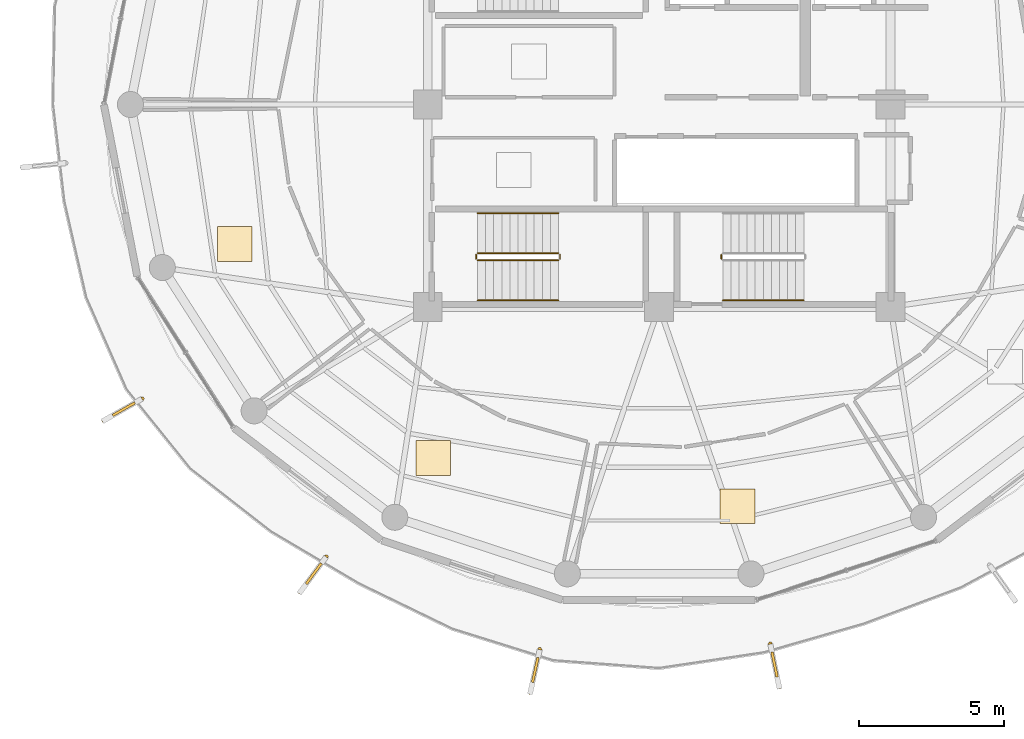
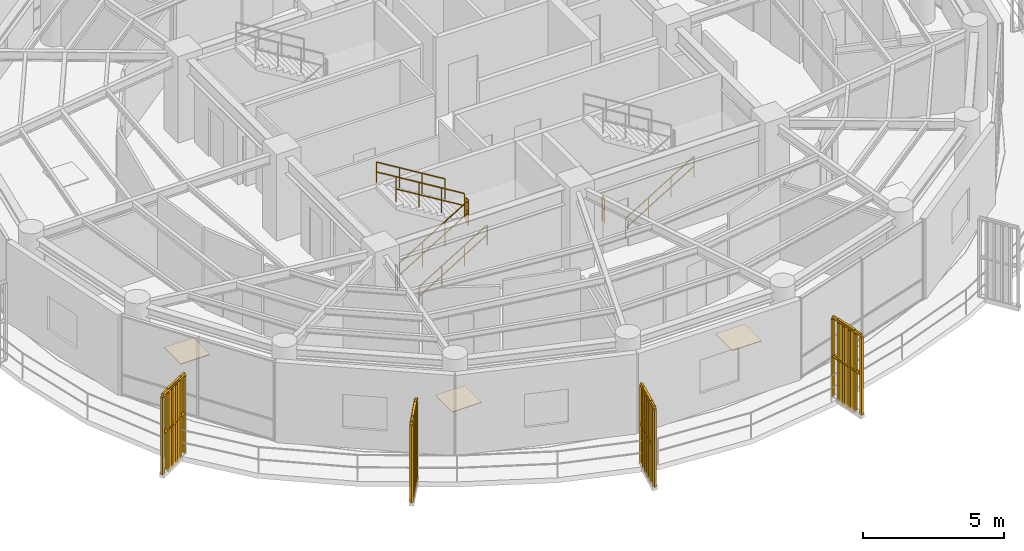
# One storey, part 19 of 22: 12 railings, 4 shading devices, 3 coverings.
"""IFC4 building model written with IfcOpenShell, lengths in metres."""

from ifc_helpers import new_model, si_unit, direction, frame, origin, origin_2d, place, context, subcontext, project, spatial, polyline, rectangle, outline, extrude, source, transform, mapped, material, layer, layer_set, type_object, element, save


model = new_model("IFC4")

# Units and contexts
model_context = context("Model", 3, precision=1e-05, world=origin(), true_north=direction((0.0, 1.0)))
body_context = subcontext(model_context, "Body", "Model", "MODEL_VIEW")
ifc_project = project(units=[si_unit("LENGTHUNIT", "METRE"), si_unit("AREAUNIT", "SQUARE_METRE"), si_unit("VOLUMEUNIT", "CUBIC_METRE"), si_unit("PLANEANGLEUNIT", "RADIAN"), si_unit("MASSUNIT", "GRAM", prefix="KILO")], contexts=[model_context])

# Site, building, storey
site_placement = place(None, origin())
site = spatial("IfcSite", under=ifc_project, at=site_placement, CompositionType="ELEMENT")
building_placement = place(site_placement, origin())
building = spatial("IfcBuilding", under=site, at=building_placement, Name="Kelanora Arch Commons", CompositionType="ELEMENT")
storey_placement = place(building_placement, frame((0.0, 0.0, 259.949951171875)))
storey = spatial("IfcBuildingStorey", under=building, at=storey_placement, Name="L66", CompositionType="ELEMENT", Elevation=259.949951171875)

# Railings
ifc_material_1 = material(Name="Anodised bronze vertical shading fin rib assembly")
railing_type_1 = type_object("IfcRailingType", Name="RAIL-FIN-BRZ", PredefinedType="BALUSTRADE", material=ifc_material_1)
railing_1_placement = place(storey_placement, frame((56.118896484375, 47.82421875, -0.02001953125)))
element("IfcRailing", 1, at=railing_1_placement, inside=storey, type_object=railing_type_1, Name="Sweeping Bronze Vertical Fin Blade L66-10", PredefinedType="BALUSTRADE", context=body_context, shape_type="SweptSolid", body=[
    extrude(outline(polyline([(0.06982421875, 0.0), (0.034912109375, 0.060546875), (-0.034912109375, 0.060546875), (-0.06982421875, 0.0), (-0.034912109375, -0.060546875), (0.034912109375, -0.060546875), (0.06982421875, 0.0)])), frame((0.0, 0.0, 3.419921875), z_axis=(-0.869172176973, -0.494509582087, 0.0), x_axis=(0.494509582087, -0.869172176973, 0.0)), (0.0, 0.0, 1.0), 1.517578125),
    extrude(outline(polyline([(0.06982421875, 0.0), (0.034912109375, 0.060546875), (-0.034912109375, 0.060546875), (-0.06982421875, 0.0), (-0.034912109375, -0.060546875), (0.034912109375, -0.060546875), (0.06982421875, 0.0)])), frame((0.0, 0.0, 1.7451171875), z_axis=(-0.869172176973, -0.494509582087, 0.0), x_axis=(0.494509582087, -0.869172176973, 0.0)), (0.0, 0.0, 1.0), 1.517578125),
    extrude(outline(polyline([(0.080078125, 0.0), (0.0400390625, 0.0693359375), (-0.0400390625, 0.0693359375), (-0.080078125, 0.0), (-0.0400390625, -0.0693359375), (0.0400390625, -0.0693359375), (0.080078125, 0.0)])), origin(), (0.0, 0.0, 1.0), 3.35009765625),
    extrude(outline(polyline([(0.080078125, 0.0), (0.0400390625, 0.0693359375), (-0.0400390625, 0.0693359375), (-0.080078125, 0.0), (-0.0400390625, -0.0693359375), (0.0400390625, -0.0693359375), (0.080078125, 0.0)])), frame((-0.263916015625, -0.150146484375, 0.0)), (0.0, 0.0, 1.0), 3.35009765625),
    extrude(outline(polyline([(0.080078125, 0.0), (0.0400390625, 0.0693359375), (-0.0400390625, 0.0693359375), (-0.080078125, 0.0), (-0.0400390625, -0.0693359375), (0.0400390625, -0.0693359375), (0.080078125, 0.0)])), frame((-0.527587890625, -0.30029296875, 0.0)), (0.0, 0.0, 1.0), 3.35009765625),
    extrude(outline(polyline([(0.080078125, 0.0), (0.0400390625, 0.0693359375), (-0.0400390625, 0.0693359375), (-0.080078125, 0.0), (-0.0400390625, -0.0693359375), (0.0400390625, -0.0693359375), (0.080078125, 0.0)])), frame((-0.79150390625, -0.4501953125, 0.0)), (0.0, 0.0, 1.0), 3.35009765625),
    extrude(outline(polyline([(0.080078125, 0.0), (0.0400390625, 0.0693359375), (-0.0400390625, 0.0693359375), (-0.080078125, 0.0), (-0.0400390625, -0.0693359375), (0.0400390625, -0.0693359375), (0.080078125, 0.0)])), frame((-1.05517578125, -0.600341796875, 0.0)), (0.0, 0.0, 1.0), 3.35009765625),
    extrude(outline(polyline([(0.080078125, 0.0), (0.0400390625, 0.0693359375), (-0.0400390625, 0.0693359375), (-0.080078125, 0.0), (-0.0400390625, -0.0693359375), (0.0400390625, -0.0693359375), (0.080078125, 0.0)])), frame((-1.319091796875, -0.75048828125, 0.0)), (0.0, 0.0, 1.0), 3.35009765625),
])
railing_2_placement = place(storey_placement, frame((62.486083984375, 42.3583984375, -0.02001953125)))
element("IfcRailing", 2, at=railing_2_placement, inside=storey, type_object=railing_type_1, Name="Sweeping Bronze Vertical Fin Blade L66-11", PredefinedType="BALUSTRADE", context=body_context, shape_type="SweptSolid", body=[
    extrude(outline(polyline([(0.06982421875, 0.0), (0.034912109375, 0.060546875), (-0.034912109375, 0.060546875), (-0.06982421875, 0.0), (-0.034912109375, -0.060546875), (0.034912109375, -0.060546875), (0.06982421875, 0.0)])), frame((0.0, 0.0, 3.419921875), z_axis=(-0.592820326684, -0.805334750442, 0.0), x_axis=(0.805334750442, -0.592820326684, 0.0)), (0.0, 0.0, 1.0), 1.517578125),
    extrude(outline(polyline([(0.06982421875, 0.0), (0.034912109375, 0.060546875), (-0.034912109375, 0.060546875), (-0.06982421875, 0.0), (-0.034912109375, -0.060546875), (0.034912109375, -0.060546875), (0.06982421875, 0.0)])), frame((0.0, 0.0, 1.7451171875), z_axis=(-0.592820326684, -0.805334750442, 0.0), x_axis=(0.805334750442, -0.592820326684, 0.0)), (0.0, 0.0, 1.0), 1.517578125),
    extrude(outline(polyline([(0.080078125, 0.0), (0.0400390625, 0.0693359375), (-0.0400390625, 0.0693359375), (-0.080078125, 0.0), (-0.0400390625, -0.0693359375), (0.0400390625, -0.0693359375), (0.080078125, 0.0)])), origin(), (0.0, 0.0, 1.0), 3.35009765625),
    extrude(outline(polyline([(0.080078125, 0.0), (0.0400390625, 0.0693359375), (-0.0400390625, 0.0693359375), (-0.080078125, 0.0), (-0.0400390625, -0.0693359375), (0.0400390625, -0.0693359375), (0.080078125, 0.0)])), frame((-0.179931640625, -0.244384765625, 0.0)), (0.0, 0.0, 1.0), 3.35009765625),
    extrude(outline(polyline([(0.080078125, 0.0), (0.0400390625, 0.0693359375), (-0.0400390625, 0.0693359375), (-0.080078125, 0.0), (-0.0400390625, -0.0693359375), (0.0400390625, -0.0693359375), (0.080078125, 0.0)])), frame((-0.35986328125, -0.48876953125, 0.0)), (0.0, 0.0, 1.0), 3.35009765625),
    extrude(outline(polyline([(0.080078125, 0.0), (0.0400390625, 0.0693359375), (-0.0400390625, 0.0693359375), (-0.080078125, 0.0), (-0.0400390625, -0.0693359375), (0.0400390625, -0.0693359375), (0.080078125, 0.0)])), frame((-0.539794921875, -0.7333984375, 0.0)), (0.0, 0.0, 1.0), 3.35009765625),
    extrude(outline(polyline([(0.080078125, 0.0), (0.0400390625, 0.0693359375), (-0.0400390625, 0.0693359375), (-0.080078125, 0.0), (-0.0400390625, -0.0693359375), (0.0400390625, -0.0693359375), (0.080078125, 0.0)])), frame((-0.7197265625, -0.977783203125, 0.0)), (0.0, 0.0, 1.0), 3.35009765625),
    extrude(outline(polyline([(0.080078125, 0.0), (0.0400390625, 0.0693359375), (-0.0400390625, 0.0693359375), (-0.080078125, 0.0), (-0.0400390625, -0.0693359375), (0.0400390625, -0.0693359375), (0.080078125, 0.0)])), frame((-0.899658203125, -1.22216796875, 0.0)), (0.0, 0.0, 1.0), 3.35009765625),
])
railing_3_placement = place(storey_placement, frame((69.87060546875, 39.151123046875, -0.02001953125)))
element("IfcRailing", 3, at=railing_3_placement, inside=storey, type_object=railing_type_1, Name="Sweeping Bronze Vertical Fin Blade L66-12", PredefinedType="BALUSTRADE", context=body_context, shape_type="SweptSolid", body=[
    extrude(outline(polyline([(0.06982421875, 0.0), (0.034912109375, 0.060546875), (-0.034912109375, 0.060546875), (-0.06982421875, 0.0), (-0.034912109375, -0.060546875), (0.034912109375, -0.060546875), (0.06982421875, 0.0)])), frame((0.0, 0.0, 3.419921875), z_axis=(-0.213999177707, -0.976833840497, 0.0), x_axis=(0.976833840497, -0.213999177707, 0.0)), (0.0, 0.0, 1.0), 1.517333984375),
    extrude(outline(polyline([(0.06982421875, 0.0), (0.034912109375, 0.060546875), (-0.034912109375, 0.060546875), (-0.06982421875, 0.0), (-0.034912109375, -0.060546875), (0.034912109375, -0.060546875), (0.06982421875, 0.0)])), frame((0.0, 0.0, 1.7451171875), z_axis=(-0.213999177707, -0.976833840497, 0.0), x_axis=(0.976833840497, -0.213999177707, 0.0)), (0.0, 0.0, 1.0), 1.517333984375),
    extrude(outline(polyline([(0.080078125, 0.0), (0.0400390625, 0.0693359375), (-0.0400390625, 0.0693359375), (-0.080078125, 0.0), (-0.0400390625, -0.0693359375), (0.0400390625, -0.0693359375), (0.080078125, 0.0)])), origin(), (0.0, 0.0, 1.0), 3.35009765625),
    extrude(outline(polyline([(0.080078125, 0.0), (0.0400390625, 0.0693359375), (-0.0400390625, 0.0693359375), (-0.080078125, 0.0), (-0.0400390625, -0.0693359375), (0.0400390625, -0.0693359375), (0.080078125, 0.0)])), frame((-0.06494140625, -0.29638671875, 0.0)), (0.0, 0.0, 1.0), 3.35009765625),
    extrude(outline(polyline([(0.080078125, 0.0), (0.0400390625, 0.0693359375), (-0.0400390625, 0.0693359375), (-0.080078125, 0.0), (-0.0400390625, -0.0693359375), (0.0400390625, -0.0693359375), (0.080078125, 0.0)])), frame((-0.1298828125, -0.5927734375, 0.0)), (0.0, 0.0, 1.0), 3.35009765625),
    extrude(outline(polyline([(0.080078125, 0.0), (0.0400390625, 0.0693359375), (-0.0400390625, 0.0693359375), (-0.080078125, 0.0), (-0.0400390625, -0.0693359375), (0.0400390625, -0.0693359375), (0.080078125, 0.0)])), frame((-0.19482421875, -0.889404296875, 0.0)), (0.0, 0.0, 1.0), 3.35009765625),
    extrude(outline(polyline([(0.080078125, 0.0), (0.0400390625, 0.0693359375), (-0.0400390625, 0.0693359375), (-0.080078125, 0.0), (-0.0400390625, -0.0693359375), (0.0400390625, -0.0693359375), (0.080078125, 0.0)])), frame((-0.259765625, -1.185791015625, 0.0)), (0.0, 0.0, 1.0), 3.35009765625),
    extrude(outline(polyline([(0.080078125, 0.0), (0.0400390625, 0.0693359375), (-0.0400390625, 0.0693359375), (-0.080078125, 0.0), (-0.0400390625, -0.0693359375), (0.0400390625, -0.0693359375), (0.080078125, 0.0)])), frame((-0.32470703125, -1.482177734375, 0.0)), (0.0, 0.0, 1.0), 3.35009765625),
])
railing_4_placement = place(storey_placement, frame((77.84423828125, 39.343017578125, -0.02001953125)))
element("IfcRailing", 4, at=railing_4_placement, inside=storey, type_object=railing_type_1, Name="Sweeping Bronze Vertical Fin Blade L66-13", PredefinedType="BALUSTRADE", context=body_context, shape_type="SweptSolid", body=[
    extrude(outline(polyline([(0.06982421875, 0.0), (0.034912109375, 0.060546875), (-0.034912109375, 0.060546875), (-0.06982421875, 0.0), (-0.034912109375, -0.060546875), (0.034912109375, -0.060546875), (0.06982421875, 0.0)])), frame((0.0, 0.0, 3.419921875), z_axis=(0.20189803167, -0.979406547256, 0.0), x_axis=(0.979406547256, 0.20189803167, 0.0)), (0.0, 0.0, 1.0), 1.517578125),
    extrude(outline(polyline([(0.06982421875, 0.0), (0.034912109375, 0.060546875), (-0.034912109375, 0.060546875), (-0.06982421875, 0.0), (-0.034912109375, -0.060546875), (0.034912109375, -0.060546875), (0.06982421875, 0.0)])), frame((0.0, 0.0, 1.7451171875), z_axis=(0.20189803167, -0.979406547256, 0.0), x_axis=(0.979406547256, 0.20189803167, 0.0)), (0.0, 0.0, 1.0), 1.517578125),
    extrude(outline(polyline([(0.080078125, 0.0), (0.0400390625, 0.0693359375), (-0.0400390625, 0.0693359375), (-0.080078125, 0.0), (-0.0400390625, -0.0693359375), (0.0400390625, -0.0693359375), (0.080078125, 0.0)])), origin(), (0.0, 0.0, 1.0), 3.35009765625),
    extrude(outline(polyline([(0.080078125, 0.0), (0.0400390625, 0.0693359375), (-0.0400390625, 0.0693359375), (-0.080078125, 0.0), (-0.0400390625, -0.0693359375), (0.0400390625, -0.0693359375), (0.080078125, 0.0)])), frame((0.061279296875, -0.29736328125, 0.0)), (0.0, 0.0, 1.0), 3.35009765625),
    extrude(outline(polyline([(0.080078125, 0.0), (0.0400390625, 0.0693359375), (-0.0400390625, 0.0693359375), (-0.080078125, 0.0), (-0.0400390625, -0.0693359375), (0.0400390625, -0.0693359375), (0.080078125, 0.0)])), frame((0.12255859375, -0.594482421875, 0.0)), (0.0, 0.0, 1.0), 3.35009765625),
    extrude(outline(polyline([(0.080078125, 0.0), (0.0400390625, 0.0693359375), (-0.0400390625, 0.0693359375), (-0.080078125, 0.0), (-0.0400390625, -0.0693359375), (0.0400390625, -0.0693359375), (0.080078125, 0.0)])), frame((0.183837890625, -0.891845703125, 0.0)), (0.0, 0.0, 1.0), 3.35009765625),
    extrude(outline(polyline([(0.080078125, 0.0), (0.0400390625, 0.0693359375), (-0.0400390625, 0.0693359375), (-0.080078125, 0.0), (-0.0400390625, -0.0693359375), (0.0400390625, -0.0693359375), (0.080078125, 0.0)])), frame((0.2451171875, -1.18896484375, 0.0)), (0.0, 0.0, 1.0), 3.35009765625),
    extrude(outline(polyline([(0.080078125, 0.0), (0.0400390625, 0.0693359375), (-0.0400390625, 0.0693359375), (-0.080078125, 0.0), (-0.0400390625, -0.0693359375), (0.0400390625, -0.0693359375), (0.080078125, 0.0)])), frame((0.306396484375, -1.486328125, 0.0)), (0.0, 0.0, 1.0), 3.35009765625),
])
ifc_material_2 = material(Name="Painted steel stair well guard", Category="steel")
railing_type_2 = type_object("IfcRailingType", Name="RAIL-STAIR-GRD", PredefinedType="GUARDRAIL", material=ifc_material_2)
railing_5_placement = place(storey_placement, frame((76.14990234375, 52.659912109375, 0.0)))
element("IfcRailing", 5, at=railing_5_placement, inside=storey, type_object=railing_type_2, Name="L66 ST-T2 stair guard 4", PredefinedType="GUARDRAIL", context=body_context, shape_type="SweptSolid", body=[
    extrude(outline(polyline([(0.02392578125, 0.0), (0.011962890625, 0.020751953125), (-0.011962890625, 0.020751953125), (-0.02392578125, 0.0), (-0.011962890625, -0.020751953125), (0.011962890625, -0.020751953125), (0.02392578125, 0.0)])), frame((0.0, 0.0, 1.076171875), z_axis=(0.0, 1.0, 0.0), x_axis=(-1.0, 0.0, 0.0)), (0.0, 0.0, 1.0), 0.150146484375),
    extrude(outline(polyline([(0.02392578125, 0.0), (0.011962890625, 0.020751953125), (-0.011962890625, 0.020751953125), (-0.02392578125, 0.0), (-0.011962890625, -0.020751953125), (0.011962890625, -0.020751953125), (0.02392578125, 0.0)])), frame((0.0, 0.0, 0.550048828125), z_axis=(0.0, 1.0, 0.0), x_axis=(-1.0, 0.0, 0.0)), (0.0, 0.0, 1.0), 0.150146484375),
    extrude(outline(polyline([(0.02099609375, 0.0), (0.010498046875, 0.01806640625), (-0.010498046875, 0.01806640625), (-0.02099609375, 0.0), (-0.010498046875, -0.01806640625), (0.010498046875, -0.01806640625), (0.02099609375, 0.0)])), origin(), (0.0, 0.0, 1.0), 1.052001953125),
    extrude(outline(polyline([(0.02099609375, 0.0), (0.010498046875, 0.01806640625), (-0.010498046875, 0.01806640625), (-0.02099609375, 0.0), (-0.010498046875, -0.01806640625), (0.010498046875, -0.01806640625), (0.02099609375, 0.0)])), frame((0.0, 0.150146484375, 0.0)), (0.0, 0.0, 1.0), 1.052001953125),
])
railing_6_placement = place(storey_placement, frame((67.719970703125, 52.610107421875, 0.17041015625)))
element("IfcRailing", 6, at=railing_6_placement, inside=storey, type_object=railing_type_2, Name="L66 ST-T3 stair guard 1", PredefinedType="GUARDRAIL", context=body_context, shape_type="SweptSolid", body=[
    extrude(outline(polyline([(0.02392578125, 0.0), (0.011962890625, 0.020751953125), (-0.011962890625, 0.020751953125), (-0.02392578125, 0.0), (-0.011962890625, -0.020751953125), (0.011962890625, -0.020751953125), (0.02392578125, 0.0)])), frame((0.0, 0.0, 1.076171875), z_axis=(0.854169791009, 0.0, 0.51999420009), x_axis=(0.0, 1.0, 0.0)), (0.0, 0.0, 1.0), 3.278076171875),
    extrude(outline(polyline([(0.02392578125, 0.0), (0.011962890625, 0.020751953125), (-0.011962890625, 0.020751953125), (-0.02392578125, 0.0), (-0.011962890625, -0.020751953125), (0.011962890625, -0.020751953125), (0.02392578125, 0.0)])), frame((0.0, 0.0, 0.550048828125), z_axis=(0.854169791009, 0.0, 0.51999420009), x_axis=(0.0, 1.0, 0.0)), (0.0, 0.0, 1.0), 3.278076171875),
    extrude(outline(polyline([(0.02099609375, 0.0), (0.010498046875, 0.01806640625), (-0.010498046875, 0.01806640625), (-0.02099609375, 0.0), (-0.010498046875, -0.01806640625), (0.010498046875, -0.01806640625), (0.02099609375, 0.0)])), origin(), (0.0, 0.0, 1.0), 1.052001953125),
    extrude(outline(polyline([(0.02099609375, 0.0), (0.010498046875, 0.01806640625), (-0.010498046875, 0.01806640625), (-0.02099609375, 0.0), (-0.010498046875, -0.01806640625), (0.010498046875, -0.01806640625), (0.02099609375, 0.0)])), frame((0.933349609375, 0.0, 0.568115234375)), (0.0, 0.0, 1.0), 1.052001953125),
    extrude(outline(polyline([(0.02099609375, 0.0), (0.010498046875, 0.01806640625), (-0.010498046875, 0.01806640625), (-0.02099609375, 0.0), (-0.010498046875, -0.01806640625), (0.010498046875, -0.01806640625), (0.02099609375, 0.0)])), frame((1.86669921875, 0.0, 1.136474609375)), (0.0, 0.0, 1.0), 1.052001953125),
    extrude(outline(polyline([(0.02099609375, 0.0), (0.010498046875, 0.01806640625), (-0.010498046875, 0.01806640625), (-0.02099609375, 0.0), (-0.010498046875, -0.01806640625), (0.010498046875, -0.01806640625), (0.02099609375, 0.0)])), frame((2.800048828125, 0.0, 1.70458984375)), (0.0, 0.0, 1.0), 1.052001953125),
])
railing_7_placement = place(storey_placement, frame((70.570068359375, 52.659912109375, 1.875)))
element("IfcRailing", 7, at=railing_7_placement, inside=storey, type_object=railing_type_2, Name="L66 ST-T3 stair guard 2", PredefinedType="GUARDRAIL", context=body_context, shape_type="SweptSolid", body=[
    extrude(outline(polyline([(0.02392578125, 0.0), (0.011962890625, 0.020751953125), (-0.011962890625, 0.020751953125), (-0.02392578125, 0.0), (-0.011962890625, -0.020751953125), (0.011962890625, -0.020751953125), (0.02392578125, 0.0)])), frame((0.0, 0.0, 1.076171875), z_axis=(0.0, 1.0, 0.0), x_axis=(-1.0, 0.0, 0.0)), (0.0, 0.0, 1.0), 0.150146484375),
    extrude(outline(polyline([(0.02392578125, 0.0), (0.011962890625, 0.020751953125), (-0.011962890625, 0.020751953125), (-0.02392578125, 0.0), (-0.011962890625, -0.020751953125), (0.011962890625, -0.020751953125), (0.02392578125, 0.0)])), frame((0.0, 0.0, 0.550048828125), z_axis=(0.0, 1.0, 0.0), x_axis=(-1.0, 0.0, 0.0)), (0.0, 0.0, 1.0), 0.150146484375),
    extrude(outline(polyline([(0.02099609375, 0.0), (0.010498046875, 0.01806640625), (-0.010498046875, 0.01806640625), (-0.02099609375, 0.0), (-0.010498046875, -0.01806640625), (0.010498046875, -0.01806640625), (0.02099609375, 0.0)])), origin(), (0.0, 0.0, 1.0), 1.052001953125),
    extrude(outline(polyline([(0.02099609375, 0.0), (0.010498046875, 0.01806640625), (-0.010498046875, 0.01806640625), (-0.02099609375, 0.0), (-0.010498046875, -0.01806640625), (0.010498046875, -0.01806640625), (0.02099609375, 0.0)])), frame((0.0, 0.150146484375, 0.0)), (0.0, 0.0, 1.0), 1.052001953125),
])
railing_8_placement = place(storey_placement, frame((70.52001953125, 52.860107421875, 2.04541015625)))
element("IfcRailing", 8, at=railing_8_placement, inside=storey, type_object=railing_type_2, Name="L66 ST-T3 stair guard 3", PredefinedType="GUARDRAIL", context=body_context, shape_type="SweptSolid", body=[
    extrude(outline(polyline([(0.02392578125, 0.0), (0.011962890625, 0.020751953125), (-0.011962890625, 0.020751953125), (-0.02392578125, 0.0), (-0.011962890625, -0.020751953125), (0.011962890625, -0.020751953125), (0.02392578125, 0.0)])), frame((0.0, 0.0, 1.076171875), z_axis=(-0.854169791009, 0.0, 0.51999420009), x_axis=(0.0, -1.0, 0.0)), (0.0, 0.0, 1.0), 3.278076171875),
    extrude(outline(polyline([(0.02392578125, 0.0), (0.011962890625, 0.020751953125), (-0.011962890625, 0.020751953125), (-0.02392578125, 0.0), (-0.011962890625, -0.020751953125), (0.011962890625, -0.020751953125), (0.02392578125, 0.0)])), frame((0.0, 0.0, 0.550048828125), z_axis=(-0.854169791009, 0.0, 0.51999420009), x_axis=(0.0, -1.0, 0.0)), (0.0, 0.0, 1.0), 3.278076171875),
    extrude(outline(polyline([(0.02099609375, 0.0), (0.010498046875, 0.01806640625), (-0.010498046875, 0.01806640625), (-0.02099609375, 0.0), (-0.010498046875, -0.01806640625), (0.010498046875, -0.01806640625), (0.02099609375, 0.0)])), origin(), (0.0, 0.0, 1.0), 1.052001953125),
    extrude(outline(polyline([(0.02099609375, 0.0), (0.010498046875, 0.01806640625), (-0.010498046875, 0.01806640625), (-0.02099609375, 0.0), (-0.010498046875, -0.01806640625), (0.010498046875, -0.01806640625), (0.02099609375, 0.0)])), frame((-0.933349609375, 0.0, 0.568115234375)), (0.0, 0.0, 1.0), 1.052001953125),
    extrude(outline(polyline([(0.02099609375, 0.0), (0.010498046875, 0.01806640625), (-0.010498046875, 0.01806640625), (-0.02099609375, 0.0), (-0.010498046875, -0.01806640625), (0.010498046875, -0.01806640625), (0.02099609375, 0.0)])), frame((-1.86669921875, 0.0, 1.136474609375)), (0.0, 0.0, 1.0), 1.052001953125),
    extrude(outline(polyline([(0.02099609375, 0.0), (0.010498046875, 0.01806640625), (-0.010498046875, 0.01806640625), (-0.02099609375, 0.0), (-0.010498046875, -0.01806640625), (0.010498046875, -0.01806640625), (0.02099609375, 0.0)])), frame((-2.800048828125, 0.0, 1.70458984375)), (0.0, 0.0, 1.0), 1.052001953125),
])
railing_9_placement = place(storey_placement, frame((67.669921875, 52.659912109375, 0.0)))
element("IfcRailing", 9, at=railing_9_placement, inside=storey, type_object=railing_type_2, Name="L66 ST-T3 stair guard 4", PredefinedType="GUARDRAIL", context=body_context, shape_type="SweptSolid", body=[
    extrude(outline(polyline([(0.02392578125, 0.0), (0.011962890625, 0.020751953125), (-0.011962890625, 0.020751953125), (-0.02392578125, 0.0), (-0.011962890625, -0.020751953125), (0.011962890625, -0.020751953125), (0.02392578125, 0.0)])), frame((0.0, 0.0, 1.076171875), z_axis=(0.0, 1.0, 0.0), x_axis=(-1.0, 0.0, 0.0)), (0.0, 0.0, 1.0), 0.150146484375),
    extrude(outline(polyline([(0.02392578125, 0.0), (0.011962890625, 0.020751953125), (-0.011962890625, 0.020751953125), (-0.02392578125, 0.0), (-0.011962890625, -0.020751953125), (0.011962890625, -0.020751953125), (0.02392578125, 0.0)])), frame((0.0, 0.0, 0.550048828125), z_axis=(0.0, 1.0, 0.0), x_axis=(-1.0, 0.0, 0.0)), (0.0, 0.0, 1.0), 0.150146484375),
    extrude(outline(polyline([(0.02099609375, 0.0), (0.010498046875, 0.01806640625), (-0.010498046875, 0.01806640625), (-0.02099609375, 0.0), (-0.010498046875, -0.01806640625), (0.010498046875, -0.01806640625), (0.02099609375, 0.0)])), origin(), (0.0, 0.0, 1.0), 1.052001953125),
    extrude(outline(polyline([(0.02099609375, 0.0), (0.010498046875, 0.01806640625), (-0.010498046875, 0.01806640625), (-0.02099609375, 0.0), (-0.010498046875, -0.01806640625), (0.010498046875, -0.01806640625), (0.02099609375, 0.0)])), frame((0.0, 0.150146484375, 0.0)), (0.0, 0.0, 1.0), 1.052001953125),
])
ifc_material_3 = material(Name="Brushed stainless steel stair handrail", Category="steel")
railing_type_3 = type_object("IfcRailingType", Name="RAIL-STAIR-HND", PredefinedType="HANDRAIL", material=ifc_material_3)
railing_10_placement = place(storey_placement, frame((76.199951171875, 51.22998046875, 0.17041015625)))
element("IfcRailing", 10, at=railing_10_placement, inside=storey, type_object=railing_type_3, Name="L66 ST-T2 stair handrail 1", PredefinedType="HANDRAIL", context=body_context, shape_type="SweptSolid", body=[
    extrude(outline(polyline([(0.02392578125, 0.0), (0.011962890625, 0.020751953125), (-0.011962890625, 0.020751953125), (-0.02392578125, 0.0), (-0.011962890625, -0.020751953125), (0.011962890625, -0.020751953125), (0.02392578125, 0.0)])), frame((0.0, 0.0, 0.8759765625), z_axis=(0.854169791009, 0.0, 0.51999420009), x_axis=(0.0, 1.0, 0.0)), (0.0, 0.0, 1.0), 3.278076171875),
    extrude(outline(polyline([(0.02392578125, 0.0), (0.011962890625, 0.020751953125), (-0.011962890625, 0.020751953125), (-0.02392578125, 0.0), (-0.011962890625, -0.020751953125), (0.011962890625, -0.020751953125), (0.02392578125, 0.0)])), frame((0.0, 0.0, 0.449951171875), z_axis=(0.854169791009, 0.0, 0.51999420009), x_axis=(0.0, 1.0, 0.0)), (0.0, 0.0, 1.0), 3.278076171875),
    extrude(outline(polyline([(0.02099609375, 0.0), (0.010498046875, 0.01806640625), (-0.010498046875, 0.01806640625), (-0.02099609375, 0.0), (-0.010498046875, -0.01806640625), (0.010498046875, -0.01806640625), (0.02099609375, 0.0)])), origin(), (0.0, 0.0, 1.0), 0.851806640625),
    extrude(outline(polyline([(0.02099609375, 0.0), (0.010498046875, 0.01806640625), (-0.010498046875, 0.01806640625), (-0.02099609375, 0.0), (-0.010498046875, -0.01806640625), (0.010498046875, -0.01806640625), (0.02099609375, 0.0)])), frame((0.933349609375, 0.0, 0.568115234375)), (0.0, 0.0, 1.0), 0.851806640625),
    extrude(outline(polyline([(0.02099609375, 0.0), (0.010498046875, 0.01806640625), (-0.010498046875, 0.01806640625), (-0.02099609375, 0.0), (-0.010498046875, -0.01806640625), (0.010498046875, -0.01806640625), (0.02099609375, 0.0)])), frame((1.86669921875, 0.0, 1.136474609375)), (0.0, 0.0, 1.0), 0.851806640625),
    extrude(outline(polyline([(0.02099609375, 0.0), (0.010498046875, 0.01806640625), (-0.010498046875, 0.01806640625), (-0.02099609375, 0.0), (-0.010498046875, -0.01806640625), (0.010498046875, -0.01806640625), (0.02099609375, 0.0)])), frame((2.800048828125, 0.0, 1.70458984375)), (0.0, 0.0, 1.0), 0.851806640625),
])
railing_11_placement = place(storey_placement, frame((67.719970703125, 51.22998046875, 0.17041015625)))
element("IfcRailing", 11, at=railing_11_placement, inside=storey, type_object=railing_type_3, Name="L66 ST-T3 stair handrail 1", PredefinedType="HANDRAIL", context=body_context, shape_type="SweptSolid", body=[
    extrude(outline(polyline([(0.02392578125, 0.0), (0.011962890625, 0.020751953125), (-0.011962890625, 0.020751953125), (-0.02392578125, 0.0), (-0.011962890625, -0.020751953125), (0.011962890625, -0.020751953125), (0.02392578125, 0.0)])), frame((0.0, 0.0, 0.8759765625), z_axis=(0.854169791009, 0.0, 0.51999420009), x_axis=(0.0, 1.0, 0.0)), (0.0, 0.0, 1.0), 3.278076171875),
    extrude(outline(polyline([(0.02392578125, 0.0), (0.011962890625, 0.020751953125), (-0.011962890625, 0.020751953125), (-0.02392578125, 0.0), (-0.011962890625, -0.020751953125), (0.011962890625, -0.020751953125), (0.02392578125, 0.0)])), frame((0.0, 0.0, 0.449951171875), z_axis=(0.854169791009, 0.0, 0.51999420009), x_axis=(0.0, 1.0, 0.0)), (0.0, 0.0, 1.0), 3.278076171875),
    extrude(outline(polyline([(0.02099609375, 0.0), (0.010498046875, 0.01806640625), (-0.010498046875, 0.01806640625), (-0.02099609375, 0.0), (-0.010498046875, -0.01806640625), (0.010498046875, -0.01806640625), (0.02099609375, 0.0)])), origin(), (0.0, 0.0, 1.0), 0.851806640625),
    extrude(outline(polyline([(0.02099609375, 0.0), (0.010498046875, 0.01806640625), (-0.010498046875, 0.01806640625), (-0.02099609375, 0.0), (-0.010498046875, -0.01806640625), (0.010498046875, -0.01806640625), (0.02099609375, 0.0)])), frame((0.933349609375, 0.0, 0.568115234375)), (0.0, 0.0, 1.0), 0.851806640625),
    extrude(outline(polyline([(0.02099609375, 0.0), (0.010498046875, 0.01806640625), (-0.010498046875, 0.01806640625), (-0.02099609375, 0.0), (-0.010498046875, -0.01806640625), (0.010498046875, -0.01806640625), (0.02099609375, 0.0)])), frame((1.86669921875, 0.0, 1.136474609375)), (0.0, 0.0, 1.0), 0.851806640625),
    extrude(outline(polyline([(0.02099609375, 0.0), (0.010498046875, 0.01806640625), (-0.010498046875, 0.01806640625), (-0.02099609375, 0.0), (-0.010498046875, -0.01806640625), (0.010498046875, -0.01806640625), (0.02099609375, 0.0)])), frame((2.800048828125, 0.0, 1.70458984375)), (0.0, 0.0, 1.0), 0.851806640625),
])
railing_12_placement = place(storey_placement, frame((70.52001953125, 54.239990234375, 2.04541015625)))
element("IfcRailing", 12, at=railing_12_placement, inside=storey, type_object=railing_type_3, Name="L66 ST-T3 stair handrail 2", PredefinedType="HANDRAIL", context=body_context, shape_type="SweptSolid", body=[
    extrude(outline(polyline([(0.02392578125, 0.0), (0.011962890625, 0.020751953125), (-0.011962890625, 0.020751953125), (-0.02392578125, 0.0), (-0.011962890625, -0.020751953125), (0.011962890625, -0.020751953125), (0.02392578125, 0.0)])), frame((0.0, 0.0, 0.8759765625), z_axis=(-0.854169791009, 0.0, 0.51999420009), x_axis=(0.0, -1.0, 0.0)), (0.0, 0.0, 1.0), 3.278076171875),
    extrude(outline(polyline([(0.02392578125, 0.0), (0.011962890625, 0.020751953125), (-0.011962890625, 0.020751953125), (-0.02392578125, 0.0), (-0.011962890625, -0.020751953125), (0.011962890625, -0.020751953125), (0.02392578125, 0.0)])), frame((0.0, 0.0, 0.449951171875), z_axis=(-0.854169791009, 0.0, 0.51999420009), x_axis=(0.0, -1.0, 0.0)), (0.0, 0.0, 1.0), 3.278076171875),
    extrude(outline(polyline([(0.02099609375, 0.0), (0.010498046875, 0.01806640625), (-0.010498046875, 0.01806640625), (-0.02099609375, 0.0), (-0.010498046875, -0.01806640625), (0.010498046875, -0.01806640625), (0.02099609375, 0.0)])), origin(), (0.0, 0.0, 1.0), 0.851806640625),
    extrude(outline(polyline([(0.02099609375, 0.0), (0.010498046875, 0.01806640625), (-0.010498046875, 0.01806640625), (-0.02099609375, 0.0), (-0.010498046875, -0.01806640625), (0.010498046875, -0.01806640625), (0.02099609375, 0.0)])), frame((-0.933349609375, 0.0, 0.568115234375)), (0.0, 0.0, 1.0), 0.851806640625),
    extrude(outline(polyline([(0.02099609375, 0.0), (0.010498046875, 0.01806640625), (-0.010498046875, 0.01806640625), (-0.02099609375, 0.0), (-0.010498046875, -0.01806640625), (0.010498046875, -0.01806640625), (0.02099609375, 0.0)])), frame((-1.86669921875, 0.0, 1.136474609375)), (0.0, 0.0, 1.0), 0.851806640625),
    extrude(outline(polyline([(0.02099609375, 0.0), (0.010498046875, 0.01806640625), (-0.010498046875, 0.01806640625), (-0.02099609375, 0.0), (-0.010498046875, -0.01806640625), (0.010498046875, -0.01806640625), (0.02099609375, 0.0)])), frame((-2.800048828125, 0.0, 1.70458984375)), (0.0, 0.0, 1.0), 0.851806640625),
])

# Shading devices
ifc_material_4 = material(Name="Terracotta ceramic-clad extruded aluminium fin", Category="masonry")
shading_device_type = type_object("IfcShadingDeviceType", Name="SHD-FIN-FLARE", PredefinedType="USERDEFINED", material=ifc_material_4)
shared_shape_1 = source(origin(), body_context, "Body", "SweptSolid", [
    extrude(rectangle(XDim=0.8798828125, YDim=0.090087890625, at=origin_2d()), origin(), (0.0, 0.0, 1.0), 3.610107421875),
])
for number, where, z_axis, x_axis, name in (
    (13, (55.492919921875, 47.46826171875, -0.14013671875), (0.0, 0.0, 1.0), (-0.869149881167, -0.494548768138, 0.0), "Sweeping Terracotta Fin L66-10"),
    (14, (62.05908203125, 41.778564453125, -0.14013671875), (0.0, 0.0, 1.0), (-0.592856820161, -0.805307885711, 0.0), "Sweeping Terracotta Fin L66-11"),
    (15, (69.716552734375, 38.447998046875, -0.14013671875), (0.0, 0.0, 1.0), (-0.214053429014, -0.976821953852, 0.0), "Sweeping Terracotta Fin L66-12"),
    (16, (77.989501953125, 38.6376953125, -0.14013671875), (0.0, 0.0, 1.0), (0.201761744624, -0.979434632023, 0.0), "Sweeping Terracotta Fin L66-13"),
):
    element("IfcShadingDevice", number, at=place(storey_placement, frame(where, z_axis=z_axis, x_axis=x_axis)), inside=storey, type_object=shading_device_type, Name=name, ObjectType="FIN", PredefinedType="USERDEFINED", context=body_context, shape_type="MappedRepresentation", body=[
        mapped(shared_shape_1, transform((0.0, 0.0, 0.0), scale=1.0)),
    ])

# Coverings
ifc_material_5 = material(Name="Polished local granite terrazzo flooring", Category="masonry")
ifc_layer = layer(ifc_material_5, 0.030029296875)
ifc_layer_set = layer_set([ifc_layer], Name="Polished local granite terrazzo flooring")
covering_type = type_object("IfcCoveringType", Name="COV-FLR-TER", PredefinedType="FLOORING", material=ifc_layer_set)
shared_shape_2 = source(origin(), body_context, "Body", "SweptSolid", [
    extrude(rectangle(XDim=1.199951171875, YDim=1.199951171875, at=origin_2d()), origin(), (0.0, 0.0, 1.0), 0.030029296875),
])
for number, where, z_axis, x_axis, name in (
    (17, (59.330078125, 53.17431640625, 0.0), (0.0, 0.0, 1.0), (1.0, 0.0, 0.0), "Social Sky Lounge L66-04 Terrazzo Finish"),
    (18, (66.1943359375, 45.780517578125, 0.0), (0.0, 0.0, 1.0), (1.0, 0.0, 0.0), "Social Sky Lounge L66-05 Terrazzo Finish"),
    (19, (76.7109375, 44.1044921875, 0.0), (0.0, 0.0, 1.0), (1.0, 0.0, 0.0), "Quiet Seminar Study Room L66-06 Terrazzo Finish"),
):
    element("IfcCovering", number, at=place(storey_placement, frame(where, z_axis=z_axis, x_axis=x_axis)), inside=storey, type_object=covering_type, Name=name, PredefinedType="FLOORING", context=body_context, shape_type="MappedRepresentation", body=[
        mapped(shared_shape_2, transform((0.0, 0.0, 0.0), scale=1.0)),
    ])

save(model, "model.ifc")
